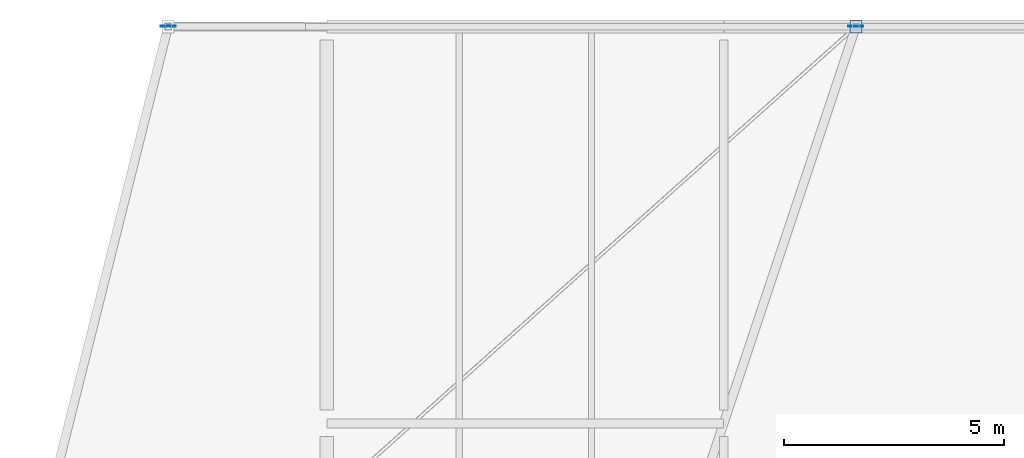
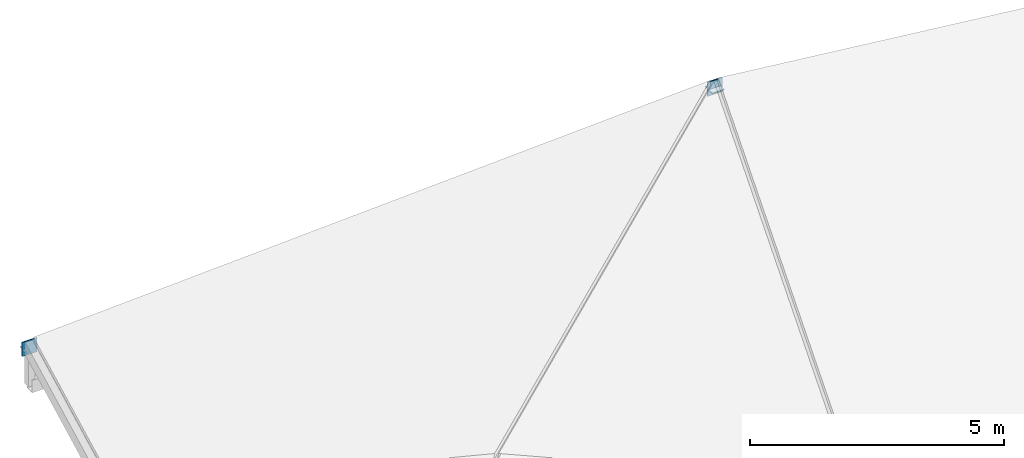
# One storey, part 17 of 18: 3 plates.
"""IFC4 building model written with IfcOpenShell, lengths in metres."""

from ifc_helpers import new_model, si_unit, direction, frame, origin, origin_2d, place, context, subcontext, project, spatial, rectangle, extrude, material, layer, layer_set, type_object, element, save


model = new_model("IFC4")

# Units and contexts
model_context = context("Model", 3, precision=1e-05, world=origin(), true_north=direction((0.0, 1.0)))
body_context = subcontext(model_context, "Body", "Model", "MODEL_VIEW")
ifc_project = project(units=[si_unit("LENGTHUNIT", "METRE"), si_unit("AREAUNIT", "SQUARE_METRE"), si_unit("VOLUMEUNIT", "CUBIC_METRE"), si_unit("PLANEANGLEUNIT", "RADIAN"), si_unit("MASSUNIT", "GRAM", prefix="KILO")], contexts=[model_context])

# Site, building, storey
site_placement = place(None, origin())
site = spatial("IfcSite", under=ifc_project, at=site_placement, CompositionType="ELEMENT")
building_placement = place(site_placement, origin())
building = spatial("IfcBuilding", under=site, at=building_placement, Name="Deido Ridge Mobility Hub", CompositionType="ELEMENT")
storey_placement = place(building_placement, frame((0.0, 0.0, 29.39990234375)))
storey = spatial("IfcBuildingStorey", under=building, at=storey_placement, Name="RF", CompositionType="ELEMENT", Elevation=29.39990234375)

# Plates
ifc_material = material(Name="Steel S355J2 EN 10025-2", Category="steel")
ifc_layer = layer(ifc_material, 0.02197265625, Name="Steel S355J2 EN 10025-2")
ifc_layer_set = layer_set([ifc_layer], Name="Steel S355J2 EN 10025-2")
plate_type = type_object("IfcPlateType", Name="PLT-CAP-22", PredefinedType="USERDEFINED", material=ifc_layer_set)
plate_placement = place(storey_placement, frame((165.0, 54.0, 1.654052734375), z_axis=(0.0, 0.0, 1.0), x_axis=(1.0, 0.0, 0.0)))
element("IfcPlate", 1, at=plate_placement, inside=storey, type_object=plate_type, Name="Hollow member sealed end-cap plate EC2-255", ObjectType="END CAP PLATE", PredefinedType="USERDEFINED", context=body_context, shape_type="SweptSolid", body=[
    extrude(rectangle(XDim=0.280029296875, YDim=0.280029296875, at=origin_2d()), origin(), (0.0, 0.0, 1.0), 0.02197265625),
])
for number, where, z_axis, x_axis, name in (
    (2, (149.39990234375, 54.011962890625, 0.72021484375), (0.0, 0.0, 1.0), (1.0, 0.0, 0.0), "Hollow member sealed end-cap plate EC2-258"),
    (3, (165.0, 54.011962890625, 1.52001953125), (0.0, 0.0, 1.0), (1.0, 0.0, 0.0), "Hollow member sealed end-cap plate EC2-259"),
):
    element("IfcPlate", number, at=place(storey_placement, frame(where, z_axis=z_axis, x_axis=x_axis)), inside=storey, type_object=plate_type, Name=name, ObjectType="END CAP PLATE", PredefinedType="USERDEFINED", context=body_context, shape_type="SweptSolid", body=[
        extrude(rectangle(XDim=0.340087890625, YDim=0.02197265625, at=origin_2d()), origin(), (0.0, 0.0, 1.0), 0.340087890625),
    ])

save(model, "model.ifc")
